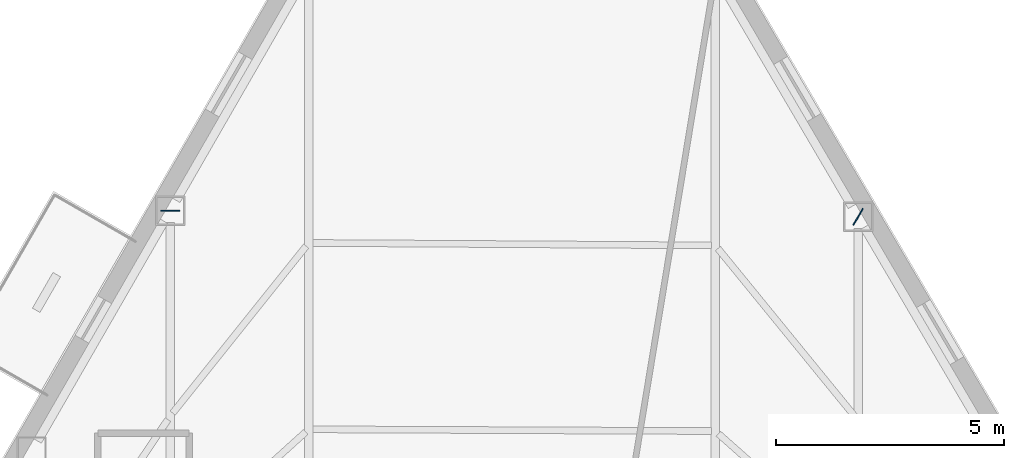
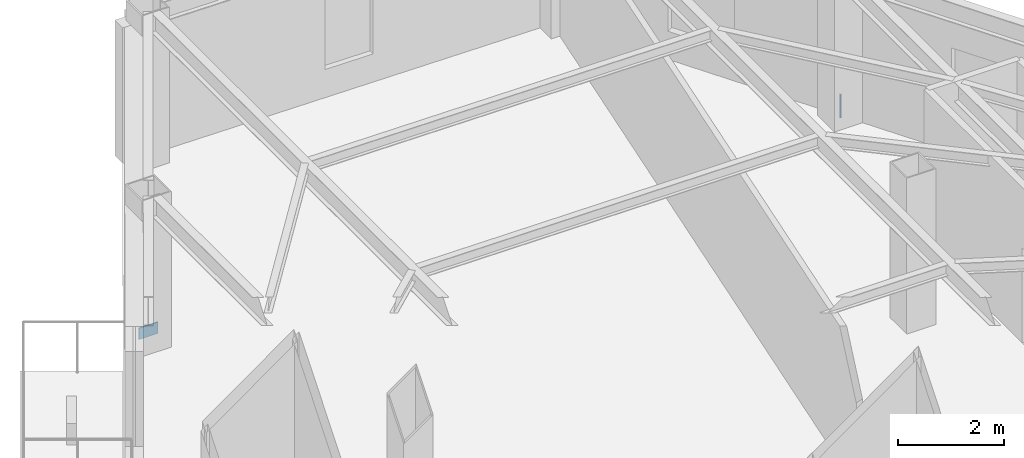
# One storey, part 6 of 12: 2 plates.
"""IFC4 building model written with IfcOpenShell, lengths in metres."""

from ifc_helpers import new_model, si_unit, direction, frame, origin, origin_2d, place, context, subcontext, project, spatial, rectangle, extrude, material, layer, layer_set, type_object, element, save


model = new_model("IFC4")

# Units and contexts
model_context = context("Model", 3, precision=1e-05, world=origin(), true_north=direction((0.0, 1.0)))
body_context = subcontext(model_context, "Body", "Model", "MODEL_VIEW")
ifc_project = project(units=[si_unit("LENGTHUNIT", "METRE"), si_unit("AREAUNIT", "SQUARE_METRE"), si_unit("VOLUMEUNIT", "CUBIC_METRE"), si_unit("PLANEANGLEUNIT", "RADIAN"), si_unit("MASSUNIT", "GRAM", prefix="KILO")], contexts=[model_context])

# Site, building, storey
site_placement = place(None, origin())
site = spatial("IfcSite", under=ifc_project, at=site_placement, CompositionType="ELEMENT")
building_placement = place(site_placement, origin())
building = spatial("IfcBuilding", under=site, at=building_placement, Name="Kavelnor Concourse Tower", CompositionType="ELEMENT")
storey_placement = place(building_placement, frame((0.0, 0.0, 191.949951171875)))
storey = spatial("IfcBuildingStorey", under=building, at=storey_placement, Name="L48", CompositionType="ELEMENT", Elevation=191.949951171875)

# Plates
ifc_material = material(Name="Steel Grade 350", Category="steel")
ifc_layer = layer(ifc_material, 0.02490234375, Name="Steel Grade 350")
ifc_layer_set = layer_set([ifc_layer], Name="Steel Grade 350")
plate_type = type_object("IfcPlateType", Name="PL-SPLICE-FLANGE", PredefinedType="SHEET", material=ifc_layer_set)
for number, where, z_axis, x_axis, name in (
    (1, (30.58349609375, 38.393310546875, 0.169921875), (0.0, 0.0, 1.0), (1.0, 0.0, 0.0), "L48 Column Flange Splice Plate F0-B1"),
    (2, (45.6484375, 38.2626953125, 0.169921875), (0.0, 0.0, 1.0), (-0.5, -0.866025403784, 0.0), "L48 Column Flange Splice Plate F2-B5"),
):
    element("IfcPlate", number, at=place(storey_placement, frame(where, z_axis=z_axis, x_axis=x_axis)), inside=storey, type_object=plate_type, Name=name, PredefinedType="SHEET", context=body_context, shape_type="SweptSolid", body=[
        extrude(rectangle(XDim=0.419921875, YDim=0.02490234375, at=origin_2d()), origin(), (0.0, 0.0, 1.0), 0.260009765625),
    ])

save(model, "model.ifc")
